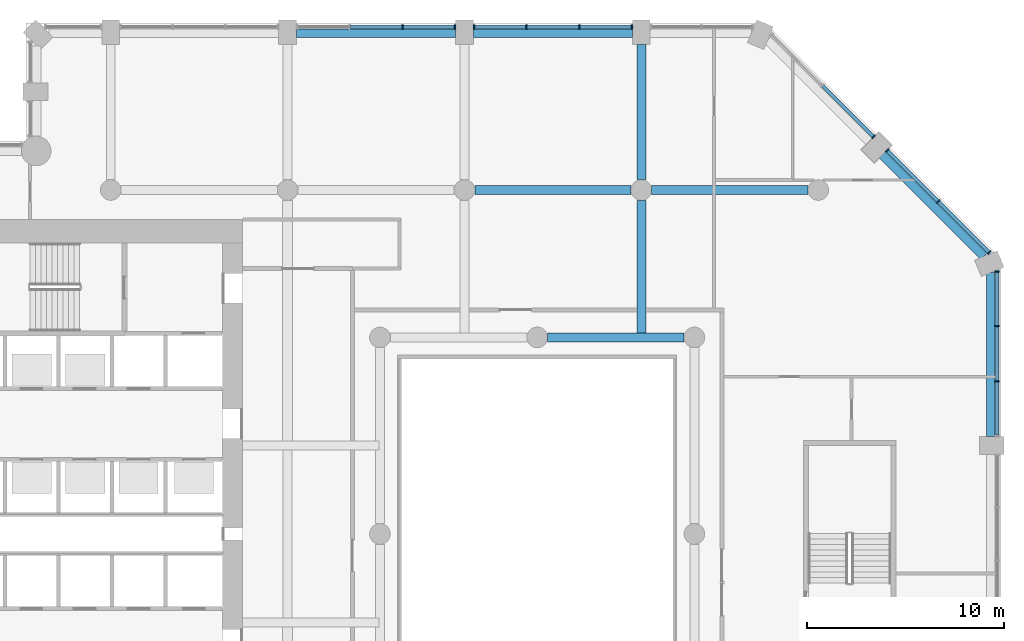
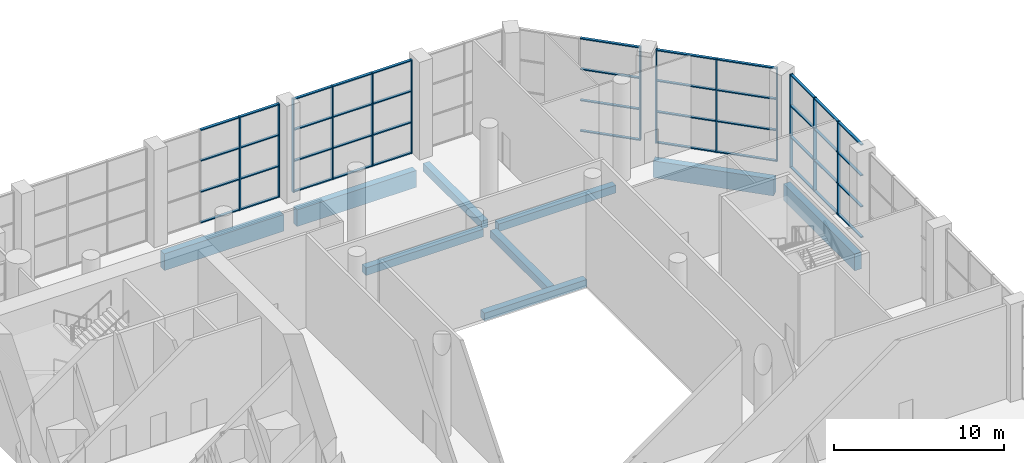
# One storey, part 7 of 22: 57 members, 9 beams, 5 elements without a shape of their own.
"""IFC4 building model written with IfcOpenShell, lengths in metres."""

from ifc_helpers import new_model, si_unit, direction, frame, origin, origin_2d, place, context, subcontext, project, spatial, rectangle, extrude, material, material_profile, profile_set, type_object, element, aggregate, save


model = new_model("IFC4")

# Units and contexts
model_context = context("Model", 3, precision=1e-05, world=origin(), true_north=direction((0.0, 1.0)))
body_context = subcontext(model_context, "Body", "Model", "MODEL_VIEW")
ifc_project = project(units=[si_unit("LENGTHUNIT", "METRE"), si_unit("AREAUNIT", "SQUARE_METRE"), si_unit("VOLUMEUNIT", "CUBIC_METRE"), si_unit("PLANEANGLEUNIT", "RADIAN"), si_unit("MASSUNIT", "GRAM", prefix="KILO")], contexts=[model_context])

# Site, building, storey
site_placement = place(None, origin())
site = spatial("IfcSite", under=ifc_project, at=site_placement, CompositionType="ELEMENT")
building_placement = place(site_placement, origin())
building = spatial("IfcBuilding", under=site, at=building_placement, Name="Cypress Arch Tower", CompositionType="ELEMENT")
storey_placement = place(building_placement, frame((0.0, 0.0, 145.5)))
storey = spatial("IfcBuildingStorey", under=building, at=storey_placement, Name="L32", CompositionType="ELEMENT", Elevation=145.5)

# Beams
ifc_material_1 = material(Name="Concrete C50/60", Category="concrete")
ifc_material_profile_1 = material_profile(ifc_material_1, rectangle(XDim=0.449951171875, YDim=0.550048828125, at=origin_2d()), Name="RC 450x550")
ifc_profile_set_1 = profile_set([ifc_material_profile_1], Name="Concrete C50/60")
beam_type_1 = type_object("IfcBeamType", Name="Floor beam RC 450x550 Concrete C50/60", PredefinedType="BEAM", material=ifc_profile_set_1)
beam_1_placement = place(storey_placement, frame((1.52490234375, 10.0, -0.574951171875), z_axis=(1.0, 0.0, 0.0), x_axis=(0.0, 1.0, 0.0)))
element("IfcBeam", 1, at=beam_1_placement, inside=storey, type_object=beam_type_1, Name="Floor beam L32 RB008", PredefinedType="BEAM", context=body_context, shape_type="SweptSolid", body=[
    extrude(rectangle(XDim=0.449951171875, YDim=0.550048828125, at=origin_2d()), origin(), (0.0, 0.0, 1.0), 6.9501953125),
])
for number, where, z_axis, x_axis, name in (
    (2, (-2.175048828125, 17.5, -0.574951171875), (1.0, 0.0, 0.0), (0.0, 1.0, 0.0), "Floor beam L32 FB017"),
    (3, (6.824951171875, 17.5, -0.574951171875), (1.0, 0.0, 0.0), (0.0, 1.0, 0.0), "Floor beam L32 FB018"),
):
    element("IfcBeam", number, at=place(storey_placement, frame(where, z_axis=z_axis, x_axis=x_axis)), inside=storey, type_object=beam_type_1, Name=name, PredefinedType="BEAM", context=body_context, shape_type="SweptSolid", body=[
        extrude(rectangle(XDim=0.449951171875, YDim=0.550048828125, at=origin_2d()), origin(), (0.0, 0.0, 1.0), 7.949951171875),
    ])
beam_2_placement = place(storey_placement, frame((6.300048828125, 10.22509765625, -0.574951171875), z_axis=(0.0, 1.0, 0.0), x_axis=(-1.0, 0.0, 0.0)))
element("IfcBeam", 4, at=beam_2_placement, inside=storey, type_object=beam_type_1, Name="Floor beam L32 FB032", PredefinedType="BEAM", context=body_context, shape_type="SweptSolid", body=[
    extrude(rectangle(XDim=0.449951171875, YDim=0.550048828125, at=origin_2d()), origin(), (0.0, 0.0, 1.0), 6.75),
])
beam_3_placement = place(storey_placement, frame((6.300048828125, 18.02490234375, -0.574951171875), z_axis=(0.0, 1.0, 0.0), x_axis=(-1.0, 0.0, 0.0)))
element("IfcBeam", 5, at=beam_3_placement, inside=storey, type_object=beam_type_1, Name="Floor beam L32 FB033", PredefinedType="BEAM", context=body_context, shape_type="SweptSolid", body=[
    extrude(rectangle(XDim=0.449951171875, YDim=0.550048828125, at=origin_2d()), origin(), (0.0, 0.0, 1.0), 6.875),
])

# Curtain wall, members
ifc_material_2 = material(Name="Anodised aluminium, bronze finish, solar control laminated double glazing", Category="aluminium")
curtain_wall_type = type_object("IfcCurtainWallType", Name="Curtain wall CW3 sky lobby glazing", PredefinedType="NOTDEFINED", material=ifc_material_2)
curtain_wall_1_placement = place(storey_placement, origin())
curtain_wall_1 = element("IfcCurtainWall", 6, at=curtain_wall_1_placement, inside=storey, type_object=curtain_wall_type, Name="Curtain wall L32 A06.3.1", PredefinedType="NOTDEFINED")
ifc_material_3 = material(Name="Anodised aluminium, bronze finish", Category="aluminium")
ifc_material_profile_2 = material_profile(ifc_material_3, rectangle(XDim=0.219970703125, YDim=0.074951171875, at=origin_2d()), Name="Mullion 75x220")
ifc_profile_set_2 = profile_set([ifc_material_profile_2], Name="Anodised aluminium, bronze finish")
member_type_1 = type_object("IfcMemberType", Name="Mullion CW3 75x220", PredefinedType="MULLION", material=ifc_profile_set_2)
member_1_placement = place(storey_placement, frame((24.39990234375, 7.762939453125, 0.0), z_axis=(0.0, 0.0, 1.0), x_axis=(-1.0, 0.0, 0.0)))
member_1 = element("IfcMember", 7, at=member_1_placement, type_object=member_type_1, Name="CW3 mullion 2", PredefinedType="MULLION", context=body_context, shape_type="SweptSolid", body=[
    extrude(rectangle(XDim=0.219970703125, YDim=0.074951171875, at=origin_2d()), origin(), (0.0, 0.0, 1.0), 6.699951171875),
])
member_2_placement = place(storey_placement, frame((24.39990234375, 10.57568359375, 0.0), z_axis=(0.0, 0.0, 1.0), x_axis=(-1.0, 0.0, 0.0)))
member_2 = element("IfcMember", 8, at=member_2_placement, type_object=member_type_1, Name="CW3 mullion 3", PredefinedType="MULLION", context=body_context, shape_type="SweptSolid", body=[
    extrude(rectangle(XDim=0.219970703125, YDim=0.074951171875, at=origin_2d()), origin(), (0.0, 0.0, 1.0), 6.699951171875),
])
member_3_placement = place(storey_placement, frame((24.39990234375, 13.35107421875, 0.0), z_axis=(0.0, 0.0, 1.0), x_axis=(-1.0, 0.0, 0.0)))
member_3 = element("IfcMember", 9, at=member_3_placement, type_object=member_type_1, Name="CW3 mullion 4", PredefinedType="MULLION", context=body_context, shape_type="SweptSolid", body=[
    extrude(rectangle(XDim=0.219970703125, YDim=0.074951171875, at=origin_2d()), origin(), (0.0, 0.0, 1.0), 6.699951171875),
])

curtain_wall_2_placement = place(storey_placement, origin())
curtain_wall_2 = element("IfcCurtainWall", 10, at=curtain_wall_2_placement, inside=storey, type_object=curtain_wall_type, Name="Curtain wall L32 A07.0.1", PredefinedType="NOTDEFINED")
member_4_placement = place(storey_placement, frame((23.999755859375, 14.3173828125, 0.0), z_axis=(0.0, 0.0, 1.0), x_axis=(-0.70710671384, -0.707106848533, 0.0)))
member_4 = element("IfcMember", 11, at=member_4_placement, type_object=member_type_1, Name="CW3 mullion 1", PredefinedType="MULLION", context=body_context, shape_type="SweptSolid", body=[
    extrude(rectangle(XDim=0.219970703125, YDim=0.074951171875, at=origin_2d()), origin(), (0.0, 0.0, 1.0), 6.699951171875),
])
member_5_placement = place(storey_placement, frame((21.401611328125, 16.91552734375, 0.0), z_axis=(0.0, 0.0, 1.0), x_axis=(-0.70710671384, -0.707106848533, 0.0)))
member_5 = element("IfcMember", 12, at=member_5_placement, type_object=member_type_1, Name="CW3 mullion 2", PredefinedType="MULLION", context=body_context, shape_type="SweptSolid", body=[
    extrude(rectangle(XDim=0.219970703125, YDim=0.074951171875, at=origin_2d()), origin(), (0.0, 0.0, 1.0), 6.699951171875),
])
member_6_placement = place(storey_placement, frame((18.80322265625, 19.513916015625, 0.0), z_axis=(0.0, 0.0, 1.0), x_axis=(-0.70710671384, -0.707106848533, 0.0)))
member_6 = element("IfcMember", 13, at=member_6_placement, type_object=member_type_1, Name="CW3 mullion 3", PredefinedType="MULLION", context=body_context, shape_type="SweptSolid", body=[
    extrude(rectangle(XDim=0.219970703125, YDim=0.074951171875, at=origin_2d()), origin(), (0.0, 0.0, 1.0), 6.699951171875),
])

# Curtain wall, member
curtain_wall_3_placement = place(storey_placement, origin())
curtain_wall_3 = element("IfcCurtainWall", 14, at=curtain_wall_3_placement, inside=storey, type_object=curtain_wall_type, Name="Curtain wall L32 A07.1.1", PredefinedType="NOTDEFINED")
member_7_placement = place(storey_placement, frame((18.11376953125, 20.203369140625, 0.0), z_axis=(0.0, 0.0, 1.0), x_axis=(-0.70710671384, -0.707106848533, 0.0)))
member_7 = element("IfcMember", 15, at=member_7_placement, type_object=member_type_1, Name="CW3 mullion 1", PredefinedType="MULLION", context=body_context, shape_type="SweptSolid", body=[
    extrude(rectangle(XDim=0.219970703125, YDim=0.074951171875, at=origin_2d()), origin(), (0.0, 0.0, 1.0), 6.699951171875),
])

# Curtain wall, members
curtain_wall_4_placement = place(storey_placement, origin())
curtain_wall_4 = element("IfcCurtainWall", 16, at=curtain_wall_4_placement, inside=storey, type_object=curtain_wall_type, Name="Curtain wall L32 A08.1.1", PredefinedType="NOTDEFINED")
member_8_placement = place(storey_placement, frame((5.8125, 25.800048828125, 0.0), z_axis=(0.0, 0.0, 1.0), x_axis=(0.0, -1.0, 0.0)))
member_8 = element("IfcMember", 17, at=member_8_placement, type_object=member_type_1, Name="CW3 mullion 1", PredefinedType="MULLION", context=body_context, shape_type="SweptSolid", body=[
    extrude(rectangle(XDim=0.219970703125, YDim=0.074951171875, at=origin_2d()), origin(), (0.0, 0.0, 1.0), 6.699951171875),
])
member_9_placement = place(storey_placement, frame((3.14990234375, 25.800048828125, 0.0), z_axis=(0.0, 0.0, 1.0), x_axis=(0.0, -1.0, 0.0)))
member_9 = element("IfcMember", 18, at=member_9_placement, type_object=member_type_1, Name="CW3 mullion 2", PredefinedType="MULLION", context=body_context, shape_type="SweptSolid", body=[
    extrude(rectangle(XDim=0.219970703125, YDim=0.074951171875, at=origin_2d()), origin(), (0.0, 0.0, 1.0), 6.699951171875),
])
member_10_placement = place(storey_placement, frame((0.449951171875, 25.800048828125, 0.0), z_axis=(0.0, 0.0, 1.0), x_axis=(0.0, -1.0, 0.0)))
member_10 = element("IfcMember", 19, at=member_10_placement, type_object=member_type_1, Name="CW3 mullion 3", PredefinedType="MULLION", context=body_context, shape_type="SweptSolid", body=[
    extrude(rectangle(XDim=0.219970703125, YDim=0.074951171875, at=origin_2d()), origin(), (0.0, 0.0, 1.0), 6.699951171875),
])
member_11_placement = place(storey_placement, frame((-2.21240234375, 25.800048828125, 0.0), z_axis=(0.0, 0.0, 1.0), x_axis=(0.0, -1.0, 0.0)))
member_11 = element("IfcMember", 20, at=member_11_placement, type_object=member_type_1, Name="CW3 mullion 4", PredefinedType="MULLION", context=body_context, shape_type="SweptSolid", body=[
    extrude(rectangle(XDim=0.219970703125, YDim=0.074951171875, at=origin_2d()), origin(), (0.0, 0.0, 1.0), 6.699951171875),
])

curtain_wall_5_placement = place(storey_placement, origin())
curtain_wall_5 = element("IfcCurtainWall", 21, at=curtain_wall_5_placement, inside=storey, type_object=curtain_wall_type, Name="Curtain wall L32 A08.2.1", PredefinedType="NOTDEFINED")
member_12_placement = place(storey_placement, frame((-3.1875, 25.800048828125, 0.0), z_axis=(0.0, 0.0, 1.0), x_axis=(0.0, -1.0, 0.0)))
member_12 = element("IfcMember", 22, at=member_12_placement, type_object=member_type_1, Name="CW3 mullion 1", PredefinedType="MULLION", context=body_context, shape_type="SweptSolid", body=[
    extrude(rectangle(XDim=0.219970703125, YDim=0.074951171875, at=origin_2d()), origin(), (0.0, 0.0, 1.0), 6.699951171875),
])
member_13_placement = place(storey_placement, frame((-5.85009765625, 25.800048828125, 0.0), z_axis=(0.0, 0.0, 1.0), x_axis=(0.0, -1.0, 0.0)))
member_13 = element("IfcMember", 23, at=member_13_placement, type_object=member_type_1, Name="CW3 mullion 2", PredefinedType="MULLION", context=body_context, shape_type="SweptSolid", body=[
    extrude(rectangle(XDim=0.219970703125, YDim=0.074951171875, at=origin_2d()), origin(), (0.0, 0.0, 1.0), 6.699951171875),
])

# Beams
ifc_material_4 = material(Name="Concrete C50/60", Category="concrete")
ifc_material_profile_3 = material_profile(ifc_material_4, rectangle(XDim=0.449951171875, YDim=1.199951171875, at=origin_2d()), Name="RC 450x1200")
ifc_profile_set_3 = profile_set([ifc_material_profile_3], Name="Concrete C50/60")
beam_type_2 = type_object("IfcBeamType", Name="Spandrel beam RC 450x1200 Concrete C50/60", PredefinedType="SPANDREL", material=ifc_profile_set_3)
beam_4_placement = place(storey_placement, frame((24.074951171875, 4.949951171875, -1.550048828125), z_axis=(0.0, 1.0, 0.0), x_axis=(-1.0, 0.0, 0.0)))
element("IfcBeam", 24, at=beam_4_placement, inside=storey, type_object=beam_type_2, Name="Spandrel beam L32 BA06-3", PredefinedType="SPANDREL", context=body_context, shape_type="SweptSolid", body=[
    extrude(rectangle(XDim=0.449951171875, YDim=1.199951171875, at=origin_2d()), origin(), (0.0, 0.0, 1.0), 8.345458984375),
])
beam_5_placement = place(storey_placement, frame((23.73046875, 14.126953125, -1.550048828125), z_axis=(-0.707106781187, 0.707106781187, 0.0), x_axis=(-0.707106781187, -0.707106781187, 0.0)))
element("IfcBeam", 25, at=beam_5_placement, inside=storey, type_object=beam_type_2, Name="Spandrel beam L32 BA07-0", PredefinedType="SPANDREL", context=body_context, shape_type="SweptSolid", body=[
    extrude(rectangle(XDim=0.449951171875, YDim=1.199951171875, at=origin_2d()), origin(), (0.0, 0.0, 1.0), 7.330810546875),
])
for number, where, z_axis, x_axis, name in (
    (26, (5.85009765625, 25.47509765625, -1.550048828125), (-1.0, 0.0, 0.0), (0.0, -1.0, 0.0), "Spandrel beam L32 BA08-1"),
    (27, (-3.14990234375, 25.47509765625, -1.550048828125), (-1.0, 0.0, 0.0), (0.0, -1.0, 0.0), "Spandrel beam L32 BA08-2"),
):
    element("IfcBeam", number, at=place(storey_placement, frame(where, z_axis=z_axis, x_axis=x_axis)), inside=storey, type_object=beam_type_2, Name=name, PredefinedType="SPANDREL", context=body_context, shape_type="SweptSolid", body=[
        extrude(rectangle(XDim=0.449951171875, YDim=1.199951171875, at=origin_2d()), origin(), (0.0, 0.0, 1.0), 8.10009765625),
    ])

# Member
ifc_material_5 = material(Name="Anodised aluminium, bronze finish", Category="aluminium")
ifc_material_profile_4 = material_profile(ifc_material_5, rectangle(XDim=0.179931640625, YDim=0.074951171875, at=origin_2d()), Name="Transom 75x180")
ifc_profile_set_4 = profile_set([ifc_material_profile_4], Name="Anodised aluminium, bronze finish")
member_type_2 = type_object("IfcMemberType", Name="Transom CW3 75x180", PredefinedType="USERDEFINED", material=ifc_profile_set_4)
member_14_placement = place(storey_placement, frame((24.39990234375, 5.02490234375, 0.03759765625), z_axis=(0.0, 1.0, 0.0), x_axis=(-1.0, 0.0, 0.0)))
member_14 = element("IfcMember", 28, at=member_14_placement, type_object=member_type_2, Name="CW3 transom 1.1", ObjectType="TRANSOM", PredefinedType="USERDEFINED", context=body_context, shape_type="SweptSolid", body=[
    extrude(rectangle(XDim=0.179931640625, YDim=0.074951171875, at=origin_2d()), origin(), (0.0, 0.0, 1.0), 2.700439453125),
])

member_15_placement = place(storey_placement, frame((24.39990234375, 5.02490234375, 2.2333984375), z_axis=(0.0, 1.0, 0.0), x_axis=(-1.0, 0.0, 0.0)))
member_15 = element("IfcMember", 29, at=member_15_placement, type_object=member_type_2, Name="CW3 transom 1.2", ObjectType="TRANSOM", PredefinedType="USERDEFINED", context=body_context, shape_type="SweptSolid", body=[
    extrude(rectangle(XDim=0.179931640625, YDim=0.074951171875, at=origin_2d()), origin(), (0.0, 0.0, 1.0), 2.700439453125),
])

member_16_placement = place(storey_placement, frame((24.39990234375, 5.02490234375, 4.466552734375), z_axis=(0.0, 1.0, 0.0), x_axis=(-1.0, 0.0, 0.0)))
member_16 = element("IfcMember", 30, at=member_16_placement, type_object=member_type_2, Name="CW3 transom 1.3", ObjectType="TRANSOM", PredefinedType="USERDEFINED", context=body_context, shape_type="SweptSolid", body=[
    extrude(rectangle(XDim=0.179931640625, YDim=0.074951171875, at=origin_2d()), origin(), (0.0, 0.0, 1.0), 2.700439453125),
])

member_17_placement = place(storey_placement, frame((24.39990234375, 5.02490234375, 6.66259765625), z_axis=(0.0, 1.0, 0.0), x_axis=(-1.0, 0.0, 0.0)))
member_17 = element("IfcMember", 31, at=member_17_placement, type_object=member_type_2, Name="CW3 transom 1.4", ObjectType="TRANSOM", PredefinedType="USERDEFINED", context=body_context, shape_type="SweptSolid", body=[
    extrude(rectangle(XDim=0.179931640625, YDim=0.074951171875, at=origin_2d()), origin(), (0.0, 0.0, 1.0), 2.700439453125),
])

member_18_placement = place(storey_placement, frame((24.39990234375, 7.80029296875, 0.03759765625), z_axis=(0.0, 1.0, 0.0), x_axis=(-1.0, 0.0, 0.0)))
member_18 = element("IfcMember", 32, at=member_18_placement, type_object=member_type_2, Name="CW3 transom 2.1", ObjectType="TRANSOM", PredefinedType="USERDEFINED", context=body_context, shape_type="SweptSolid", body=[
    extrude(rectangle(XDim=0.179931640625, YDim=0.074951171875, at=origin_2d()), origin(), (0.0, 0.0, 1.0), 2.738037109375),
])

member_19_placement = place(storey_placement, frame((24.39990234375, 7.80029296875, 2.2333984375), z_axis=(0.0, 1.0, 0.0), x_axis=(-1.0, 0.0, 0.0)))
member_19 = element("IfcMember", 33, at=member_19_placement, type_object=member_type_2, Name="CW3 transom 2.2", ObjectType="TRANSOM", PredefinedType="USERDEFINED", context=body_context, shape_type="SweptSolid", body=[
    extrude(rectangle(XDim=0.179931640625, YDim=0.074951171875, at=origin_2d()), origin(), (0.0, 0.0, 1.0), 2.738037109375),
])

member_20_placement = place(storey_placement, frame((24.39990234375, 7.80029296875, 4.466552734375), z_axis=(0.0, 1.0, 0.0), x_axis=(-1.0, 0.0, 0.0)))
member_20 = element("IfcMember", 34, at=member_20_placement, type_object=member_type_2, Name="CW3 transom 2.3", ObjectType="TRANSOM", PredefinedType="USERDEFINED", context=body_context, shape_type="SweptSolid", body=[
    extrude(rectangle(XDim=0.179931640625, YDim=0.074951171875, at=origin_2d()), origin(), (0.0, 0.0, 1.0), 2.738037109375),
])

member_21_placement = place(storey_placement, frame((24.39990234375, 7.80029296875, 6.66259765625), z_axis=(0.0, 1.0, 0.0), x_axis=(-1.0, 0.0, 0.0)))
member_21 = element("IfcMember", 35, at=member_21_placement, type_object=member_type_2, Name="CW3 transom 2.4", ObjectType="TRANSOM", PredefinedType="USERDEFINED", context=body_context, shape_type="SweptSolid", body=[
    extrude(rectangle(XDim=0.179931640625, YDim=0.074951171875, at=origin_2d()), origin(), (0.0, 0.0, 1.0), 2.738037109375),
])

member_22_placement = place(storey_placement, frame((24.39990234375, 10.61328125, 0.03759765625), z_axis=(0.0, 1.0, 0.0), x_axis=(-1.0, 0.0, 0.0)))
member_22 = element("IfcMember", 36, at=member_22_placement, type_object=member_type_2, Name="CW3 transom 3.1", ObjectType="TRANSOM", PredefinedType="USERDEFINED", context=body_context, shape_type="SweptSolid", body=[
    extrude(rectangle(XDim=0.179931640625, YDim=0.074951171875, at=origin_2d()), origin(), (0.0, 0.0, 1.0), 2.700439453125),
])

member_23_placement = place(storey_placement, frame((24.39990234375, 10.61328125, 2.2333984375), z_axis=(0.0, 1.0, 0.0), x_axis=(-1.0, 0.0, 0.0)))
member_23 = element("IfcMember", 37, at=member_23_placement, type_object=member_type_2, Name="CW3 transom 3.2", ObjectType="TRANSOM", PredefinedType="USERDEFINED", context=body_context, shape_type="SweptSolid", body=[
    extrude(rectangle(XDim=0.179931640625, YDim=0.074951171875, at=origin_2d()), origin(), (0.0, 0.0, 1.0), 2.700439453125),
])

member_24_placement = place(storey_placement, frame((24.39990234375, 10.61328125, 4.466552734375), z_axis=(0.0, 1.0, 0.0), x_axis=(-1.0, 0.0, 0.0)))
member_24 = element("IfcMember", 38, at=member_24_placement, type_object=member_type_2, Name="CW3 transom 3.3", ObjectType="TRANSOM", PredefinedType="USERDEFINED", context=body_context, shape_type="SweptSolid", body=[
    extrude(rectangle(XDim=0.179931640625, YDim=0.074951171875, at=origin_2d()), origin(), (0.0, 0.0, 1.0), 2.700439453125),
])

member_25_placement = place(storey_placement, frame((24.39990234375, 10.61328125, 6.66259765625), z_axis=(0.0, 1.0, 0.0), x_axis=(-1.0, 0.0, 0.0)))
member_25 = element("IfcMember", 39, at=member_25_placement, type_object=member_type_2, Name="CW3 transom 3.4", ObjectType="TRANSOM", PredefinedType="USERDEFINED", context=body_context, shape_type="SweptSolid", body=[
    extrude(rectangle(XDim=0.179931640625, YDim=0.074951171875, at=origin_2d()), origin(), (0.0, 0.0, 1.0), 2.700439453125),
])

aggregate(curtain_wall_1, [member_1, member_2, member_3, member_14, member_15, member_16, member_17, member_18, member_19, member_20, member_21, member_22, member_23, member_24, member_25])

member_26_placement = place(storey_placement, frame((23.97314453125, 14.343994140625, 0.03759765625), z_axis=(-0.707106781187, 0.707106781187, 0.0), x_axis=(-0.707106781187, -0.707106781187, 0.0)))
member_26 = element("IfcMember", 40, at=member_26_placement, type_object=member_type_2, Name="CW3 transom 1.1", ObjectType="TRANSOM", PredefinedType="USERDEFINED", context=body_context, shape_type="SweptSolid", body=[
    extrude(rectangle(XDim=0.179931640625, YDim=0.074951171875, at=origin_2d()), origin(), (0.0, 0.0, 1.0), 3.599365234375),
])

member_27_placement = place(storey_placement, frame((23.97314453125, 14.343994140625, 2.2333984375), z_axis=(-0.707106781187, 0.707106781187, 0.0), x_axis=(-0.707106781187, -0.707106781187, 0.0)))
member_27 = element("IfcMember", 41, at=member_27_placement, type_object=member_type_2, Name="CW3 transom 1.2", ObjectType="TRANSOM", PredefinedType="USERDEFINED", context=body_context, shape_type="SweptSolid", body=[
    extrude(rectangle(XDim=0.179931640625, YDim=0.074951171875, at=origin_2d()), origin(), (0.0, 0.0, 1.0), 3.599365234375),
])

member_28_placement = place(storey_placement, frame((23.97314453125, 14.343994140625, 4.466552734375), z_axis=(-0.707106781187, 0.707106781187, 0.0), x_axis=(-0.707106781187, -0.707106781187, 0.0)))
member_28 = element("IfcMember", 42, at=member_28_placement, type_object=member_type_2, Name="CW3 transom 1.3", ObjectType="TRANSOM", PredefinedType="USERDEFINED", context=body_context, shape_type="SweptSolid", body=[
    extrude(rectangle(XDim=0.179931640625, YDim=0.074951171875, at=origin_2d()), origin(), (0.0, 0.0, 1.0), 3.599365234375),
])

member_29_placement = place(storey_placement, frame((23.97314453125, 14.343994140625, 6.66259765625), z_axis=(-0.707106781187, 0.707106781187, 0.0), x_axis=(-0.707106781187, -0.707106781187, 0.0)))
member_29 = element("IfcMember", 43, at=member_29_placement, type_object=member_type_2, Name="CW3 transom 1.4", ObjectType="TRANSOM", PredefinedType="USERDEFINED", context=body_context, shape_type="SweptSolid", body=[
    extrude(rectangle(XDim=0.179931640625, YDim=0.074951171875, at=origin_2d()), origin(), (0.0, 0.0, 1.0), 3.599365234375),
])

member_30_placement = place(storey_placement, frame((21.375, 16.942138671875, 0.03759765625), z_axis=(-0.707106781187, 0.707106781187, 0.0), x_axis=(-0.707106781187, -0.707106781187, 0.0)))
member_30 = element("IfcMember", 44, at=member_30_placement, type_object=member_type_2, Name="CW3 transom 2.1", ObjectType="TRANSOM", PredefinedType="USERDEFINED", context=body_context, shape_type="SweptSolid", body=[
    extrude(rectangle(XDim=0.179931640625, YDim=0.074951171875, at=origin_2d()), origin(), (0.0, 0.0, 1.0), 3.599365234375),
])

member_31_placement = place(storey_placement, frame((21.375, 16.942138671875, 2.2333984375), z_axis=(-0.707106781187, 0.707106781187, 0.0), x_axis=(-0.707106781187, -0.707106781187, 0.0)))
member_31 = element("IfcMember", 45, at=member_31_placement, type_object=member_type_2, Name="CW3 transom 2.2", ObjectType="TRANSOM", PredefinedType="USERDEFINED", context=body_context, shape_type="SweptSolid", body=[
    extrude(rectangle(XDim=0.179931640625, YDim=0.074951171875, at=origin_2d()), origin(), (0.0, 0.0, 1.0), 3.599365234375),
])

member_32_placement = place(storey_placement, frame((21.375, 16.942138671875, 4.466552734375), z_axis=(-0.707106781187, 0.707106781187, 0.0), x_axis=(-0.707106781187, -0.707106781187, 0.0)))
member_32 = element("IfcMember", 46, at=member_32_placement, type_object=member_type_2, Name="CW3 transom 2.3", ObjectType="TRANSOM", PredefinedType="USERDEFINED", context=body_context, shape_type="SweptSolid", body=[
    extrude(rectangle(XDim=0.179931640625, YDim=0.074951171875, at=origin_2d()), origin(), (0.0, 0.0, 1.0), 3.599365234375),
])

member_33_placement = place(storey_placement, frame((21.375, 16.942138671875, 6.66259765625), z_axis=(-0.707106781187, 0.707106781187, 0.0), x_axis=(-0.707106781187, -0.707106781187, 0.0)))
member_33 = element("IfcMember", 47, at=member_33_placement, type_object=member_type_2, Name="CW3 transom 2.4", ObjectType="TRANSOM", PredefinedType="USERDEFINED", context=body_context, shape_type="SweptSolid", body=[
    extrude(rectangle(XDim=0.179931640625, YDim=0.074951171875, at=origin_2d()), origin(), (0.0, 0.0, 1.0), 3.599365234375),
])

aggregate(curtain_wall_2, [member_4, member_5, member_6, member_26, member_27, member_28, member_29, member_30, member_31, member_32, member_33])

member_34_placement = place(storey_placement, frame((18.08740234375, 20.229736328125, 0.03759765625), z_axis=(-0.707072868006, 0.707140692741, 0.0), x_axis=(-0.707140692741, -0.707072868006, 0.0)))
member_34 = element("IfcMember", 48, at=member_34_placement, type_object=member_type_2, Name="CW3 transom 1.1", ObjectType="TRANSOM", PredefinedType="USERDEFINED", context=body_context, shape_type="SweptSolid", body=[
    extrude(rectangle(XDim=0.179931640625, YDim=0.074951171875, at=origin_2d()), origin(), (0.0, 0.0, 1.0), 3.599609375),
])

member_35_placement = place(storey_placement, frame((18.08740234375, 20.229736328125, 2.2333984375), z_axis=(-0.707072868006, 0.707140692741, 0.0), x_axis=(-0.707140692741, -0.707072868006, 0.0)))
member_35 = element("IfcMember", 49, at=member_35_placement, type_object=member_type_2, Name="CW3 transom 1.2", ObjectType="TRANSOM", PredefinedType="USERDEFINED", context=body_context, shape_type="SweptSolid", body=[
    extrude(rectangle(XDim=0.179931640625, YDim=0.074951171875, at=origin_2d()), origin(), (0.0, 0.0, 1.0), 3.599609375),
])

member_36_placement = place(storey_placement, frame((18.08740234375, 20.229736328125, 4.466552734375), z_axis=(-0.707072868006, 0.707140692741, 0.0), x_axis=(-0.707140692741, -0.707072868006, 0.0)))
member_36 = element("IfcMember", 50, at=member_36_placement, type_object=member_type_2, Name="CW3 transom 1.3", ObjectType="TRANSOM", PredefinedType="USERDEFINED", context=body_context, shape_type="SweptSolid", body=[
    extrude(rectangle(XDim=0.179931640625, YDim=0.074951171875, at=origin_2d()), origin(), (0.0, 0.0, 1.0), 3.599609375),
])

member_37_placement = place(storey_placement, frame((18.08740234375, 20.229736328125, 6.66259765625), z_axis=(-0.707072868006, 0.707140692741, 0.0), x_axis=(-0.707140692741, -0.707072868006, 0.0)))
member_37 = element("IfcMember", 51, at=member_37_placement, type_object=member_type_2, Name="CW3 transom 1.4", ObjectType="TRANSOM", PredefinedType="USERDEFINED", context=body_context, shape_type="SweptSolid", body=[
    extrude(rectangle(XDim=0.179931640625, YDim=0.074951171875, at=origin_2d()), origin(), (0.0, 0.0, 1.0), 3.599609375),
])

aggregate(curtain_wall_3, [member_7, member_34, member_35, member_36, member_37])

member_38_placement = place(storey_placement, frame((5.77490234375, 25.800048828125, 0.03759765625), z_axis=(-1.0, 0.0, 0.0), x_axis=(0.0, -1.0, 0.0)))
member_38 = element("IfcMember", 52, at=member_38_placement, type_object=member_type_2, Name="CW3 transom 1.1", ObjectType="TRANSOM", PredefinedType="USERDEFINED", context=body_context, shape_type="SweptSolid", body=[
    extrude(rectangle(XDim=0.179931640625, YDim=0.074951171875, at=origin_2d()), origin(), (0.0, 0.0, 1.0), 2.58740234375),
])

member_39_placement = place(storey_placement, frame((5.77490234375, 25.800048828125, 2.2333984375), z_axis=(-1.0, 0.0, 0.0), x_axis=(0.0, -1.0, 0.0)))
member_39 = element("IfcMember", 53, at=member_39_placement, type_object=member_type_2, Name="CW3 transom 1.2", ObjectType="TRANSOM", PredefinedType="USERDEFINED", context=body_context, shape_type="SweptSolid", body=[
    extrude(rectangle(XDim=0.179931640625, YDim=0.074951171875, at=origin_2d()), origin(), (0.0, 0.0, 1.0), 2.58740234375),
])

member_40_placement = place(storey_placement, frame((5.77490234375, 25.800048828125, 4.466552734375), z_axis=(-1.0, 0.0, 0.0), x_axis=(0.0, -1.0, 0.0)))
member_40 = element("IfcMember", 54, at=member_40_placement, type_object=member_type_2, Name="CW3 transom 1.3", ObjectType="TRANSOM", PredefinedType="USERDEFINED", context=body_context, shape_type="SweptSolid", body=[
    extrude(rectangle(XDim=0.179931640625, YDim=0.074951171875, at=origin_2d()), origin(), (0.0, 0.0, 1.0), 2.58740234375),
])

member_41_placement = place(storey_placement, frame((5.77490234375, 25.800048828125, 6.66259765625), z_axis=(-1.0, 0.0, 0.0), x_axis=(0.0, -1.0, 0.0)))
member_41 = element("IfcMember", 55, at=member_41_placement, type_object=member_type_2, Name="CW3 transom 1.4", ObjectType="TRANSOM", PredefinedType="USERDEFINED", context=body_context, shape_type="SweptSolid", body=[
    extrude(rectangle(XDim=0.179931640625, YDim=0.074951171875, at=origin_2d()), origin(), (0.0, 0.0, 1.0), 2.58740234375),
])

member_42_placement = place(storey_placement, frame((3.112548828125, 25.800048828125, 0.03759765625), z_axis=(-1.0, 0.0, 0.0), x_axis=(0.0, -1.0, 0.0)))
member_42 = element("IfcMember", 56, at=member_42_placement, type_object=member_type_2, Name="CW3 transom 2.1", ObjectType="TRANSOM", PredefinedType="USERDEFINED", context=body_context, shape_type="SweptSolid", body=[
    extrude(rectangle(XDim=0.179931640625, YDim=0.074951171875, at=origin_2d()), origin(), (0.0, 0.0, 1.0), 2.625),
])

member_43_placement = place(storey_placement, frame((3.112548828125, 25.800048828125, 2.2333984375), z_axis=(-1.0, 0.0, 0.0), x_axis=(0.0, -1.0, 0.0)))
member_43 = element("IfcMember", 57, at=member_43_placement, type_object=member_type_2, Name="CW3 transom 2.2", ObjectType="TRANSOM", PredefinedType="USERDEFINED", context=body_context, shape_type="SweptSolid", body=[
    extrude(rectangle(XDim=0.179931640625, YDim=0.074951171875, at=origin_2d()), origin(), (0.0, 0.0, 1.0), 2.625),
])

member_44_placement = place(storey_placement, frame((3.112548828125, 25.800048828125, 4.466552734375), z_axis=(-1.0, 0.0, 0.0), x_axis=(0.0, -1.0, 0.0)))
member_44 = element("IfcMember", 58, at=member_44_placement, type_object=member_type_2, Name="CW3 transom 2.3", ObjectType="TRANSOM", PredefinedType="USERDEFINED", context=body_context, shape_type="SweptSolid", body=[
    extrude(rectangle(XDim=0.179931640625, YDim=0.074951171875, at=origin_2d()), origin(), (0.0, 0.0, 1.0), 2.625),
])

member_45_placement = place(storey_placement, frame((3.112548828125, 25.800048828125, 6.66259765625), z_axis=(-1.0, 0.0, 0.0), x_axis=(0.0, -1.0, 0.0)))
member_45 = element("IfcMember", 59, at=member_45_placement, type_object=member_type_2, Name="CW3 transom 2.4", ObjectType="TRANSOM", PredefinedType="USERDEFINED", context=body_context, shape_type="SweptSolid", body=[
    extrude(rectangle(XDim=0.179931640625, YDim=0.074951171875, at=origin_2d()), origin(), (0.0, 0.0, 1.0), 2.625),
])

member_46_placement = place(storey_placement, frame((0.41259765625, 25.800048828125, 0.03759765625), z_axis=(-1.0, 0.0, 0.0), x_axis=(0.0, -1.0, 0.0)))
member_46 = element("IfcMember", 60, at=member_46_placement, type_object=member_type_2, Name="CW3 transom 3.1", ObjectType="TRANSOM", PredefinedType="USERDEFINED", context=body_context, shape_type="SweptSolid", body=[
    extrude(rectangle(XDim=0.179931640625, YDim=0.074951171875, at=origin_2d()), origin(), (0.0, 0.0, 1.0), 2.587646484375),
])

member_47_placement = place(storey_placement, frame((0.41259765625, 25.800048828125, 2.2333984375), z_axis=(-1.0, 0.0, 0.0), x_axis=(0.0, -1.0, 0.0)))
member_47 = element("IfcMember", 61, at=member_47_placement, type_object=member_type_2, Name="CW3 transom 3.2", ObjectType="TRANSOM", PredefinedType="USERDEFINED", context=body_context, shape_type="SweptSolid", body=[
    extrude(rectangle(XDim=0.179931640625, YDim=0.074951171875, at=origin_2d()), origin(), (0.0, 0.0, 1.0), 2.587646484375),
])

member_48_placement = place(storey_placement, frame((0.41259765625, 25.800048828125, 4.466552734375), z_axis=(-1.0, 0.0, 0.0), x_axis=(0.0, -1.0, 0.0)))
member_48 = element("IfcMember", 62, at=member_48_placement, type_object=member_type_2, Name="CW3 transom 3.3", ObjectType="TRANSOM", PredefinedType="USERDEFINED", context=body_context, shape_type="SweptSolid", body=[
    extrude(rectangle(XDim=0.179931640625, YDim=0.074951171875, at=origin_2d()), origin(), (0.0, 0.0, 1.0), 2.587646484375),
])

member_49_placement = place(storey_placement, frame((0.41259765625, 25.800048828125, 6.66259765625), z_axis=(-1.0, 0.0, 0.0), x_axis=(0.0, -1.0, 0.0)))
member_49 = element("IfcMember", 63, at=member_49_placement, type_object=member_type_2, Name="CW3 transom 3.4", ObjectType="TRANSOM", PredefinedType="USERDEFINED", context=body_context, shape_type="SweptSolid", body=[
    extrude(rectangle(XDim=0.179931640625, YDim=0.074951171875, at=origin_2d()), origin(), (0.0, 0.0, 1.0), 2.587646484375),
])

aggregate(curtain_wall_4, [member_8, member_9, member_10, member_11, member_38, member_39, member_40, member_41, member_42, member_43, member_44, member_45, member_46, member_47, member_48, member_49])

member_50_placement = place(storey_placement, frame((-3.22509765625, 25.800048828125, 0.03759765625), z_axis=(-1.0, 0.0, 0.0), x_axis=(0.0, -1.0, 0.0)))
member_50 = element("IfcMember", 64, at=member_50_placement, type_object=member_type_2, Name="CW3 transom 1.1", ObjectType="TRANSOM", PredefinedType="USERDEFINED", context=body_context, shape_type="SweptSolid", body=[
    extrude(rectangle(XDim=0.179931640625, YDim=0.074951171875, at=origin_2d()), origin(), (0.0, 0.0, 1.0), 2.58740234375),
])

member_51_placement = place(storey_placement, frame((-3.22509765625, 25.800048828125, 2.2333984375), z_axis=(-1.0, 0.0, 0.0), x_axis=(0.0, -1.0, 0.0)))
member_51 = element("IfcMember", 65, at=member_51_placement, type_object=member_type_2, Name="CW3 transom 1.2", ObjectType="TRANSOM", PredefinedType="USERDEFINED", context=body_context, shape_type="SweptSolid", body=[
    extrude(rectangle(XDim=0.179931640625, YDim=0.074951171875, at=origin_2d()), origin(), (0.0, 0.0, 1.0), 2.58740234375),
])

member_52_placement = place(storey_placement, frame((-3.22509765625, 25.800048828125, 4.466552734375), z_axis=(-1.0, 0.0, 0.0), x_axis=(0.0, -1.0, 0.0)))
member_52 = element("IfcMember", 66, at=member_52_placement, type_object=member_type_2, Name="CW3 transom 1.3", ObjectType="TRANSOM", PredefinedType="USERDEFINED", context=body_context, shape_type="SweptSolid", body=[
    extrude(rectangle(XDim=0.179931640625, YDim=0.074951171875, at=origin_2d()), origin(), (0.0, 0.0, 1.0), 2.58740234375),
])

member_53_placement = place(storey_placement, frame((-3.22509765625, 25.800048828125, 6.66259765625), z_axis=(-1.0, 0.0, 0.0), x_axis=(0.0, -1.0, 0.0)))
member_53 = element("IfcMember", 67, at=member_53_placement, type_object=member_type_2, Name="CW3 transom 1.4", ObjectType="TRANSOM", PredefinedType="USERDEFINED", context=body_context, shape_type="SweptSolid", body=[
    extrude(rectangle(XDim=0.179931640625, YDim=0.074951171875, at=origin_2d()), origin(), (0.0, 0.0, 1.0), 2.58740234375),
])

member_54_placement = place(storey_placement, frame((-5.887451171875, 25.800048828125, 0.03759765625), z_axis=(-1.0, 0.0, 0.0), x_axis=(0.0, -1.0, 0.0)))
member_54 = element("IfcMember", 68, at=member_54_placement, type_object=member_type_2, Name="CW3 transom 2.1", ObjectType="TRANSOM", PredefinedType="USERDEFINED", context=body_context, shape_type="SweptSolid", body=[
    extrude(rectangle(XDim=0.179931640625, YDim=0.074951171875, at=origin_2d()), origin(), (0.0, 0.0, 1.0), 2.625),
])

member_55_placement = place(storey_placement, frame((-5.887451171875, 25.800048828125, 2.2333984375), z_axis=(-1.0, 0.0, 0.0), x_axis=(0.0, -1.0, 0.0)))
member_55 = element("IfcMember", 69, at=member_55_placement, type_object=member_type_2, Name="CW3 transom 2.2", ObjectType="TRANSOM", PredefinedType="USERDEFINED", context=body_context, shape_type="SweptSolid", body=[
    extrude(rectangle(XDim=0.179931640625, YDim=0.074951171875, at=origin_2d()), origin(), (0.0, 0.0, 1.0), 2.625),
])

member_56_placement = place(storey_placement, frame((-5.887451171875, 25.800048828125, 4.466552734375), z_axis=(-1.0, 0.0, 0.0), x_axis=(0.0, -1.0, 0.0)))
member_56 = element("IfcMember", 70, at=member_56_placement, type_object=member_type_2, Name="CW3 transom 2.3", ObjectType="TRANSOM", PredefinedType="USERDEFINED", context=body_context, shape_type="SweptSolid", body=[
    extrude(rectangle(XDim=0.179931640625, YDim=0.074951171875, at=origin_2d()), origin(), (0.0, 0.0, 1.0), 2.625),
])

member_57_placement = place(storey_placement, frame((-5.887451171875, 25.800048828125, 6.66259765625), z_axis=(-1.0, 0.0, 0.0), x_axis=(0.0, -1.0, 0.0)))
member_57 = element("IfcMember", 71, at=member_57_placement, type_object=member_type_2, Name="CW3 transom 2.4", ObjectType="TRANSOM", PredefinedType="USERDEFINED", context=body_context, shape_type="SweptSolid", body=[
    extrude(rectangle(XDim=0.179931640625, YDim=0.074951171875, at=origin_2d()), origin(), (0.0, 0.0, 1.0), 2.625),
])

aggregate(curtain_wall_5, [member_12, member_13, member_50, member_51, member_52, member_53, member_54, member_55, member_56, member_57])

save(model, "model.ifc")
